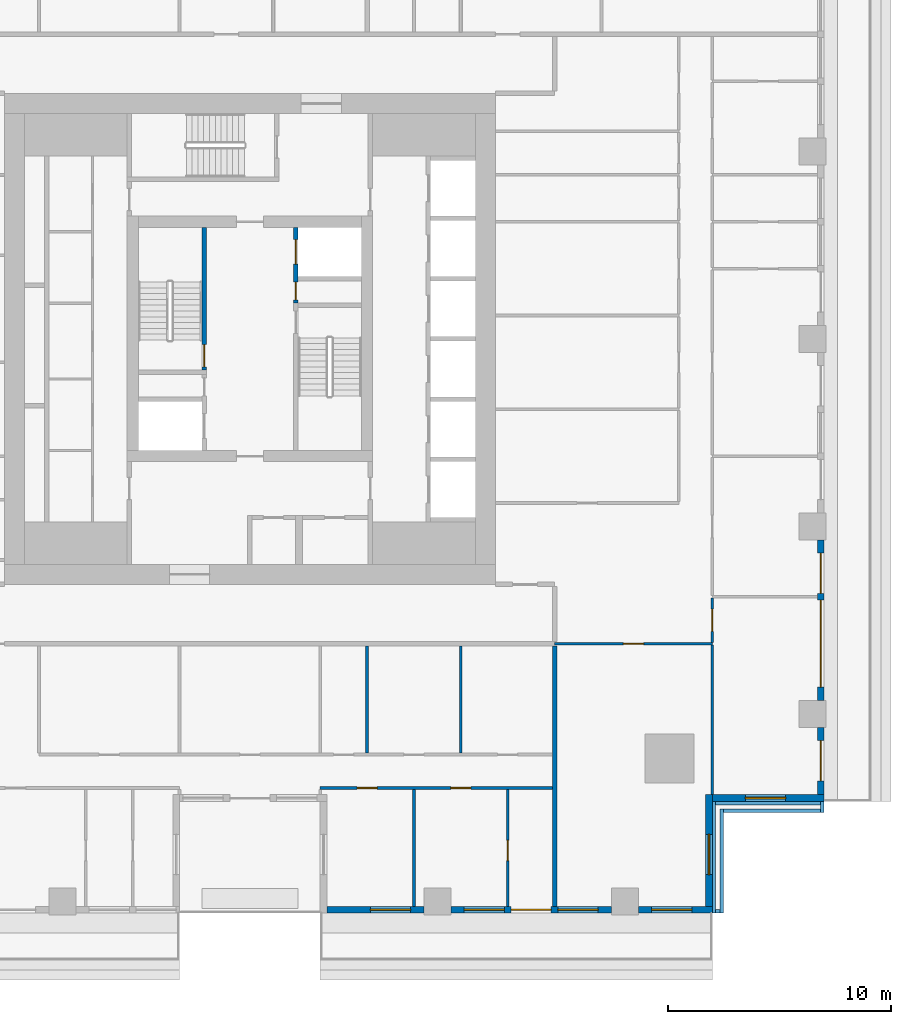
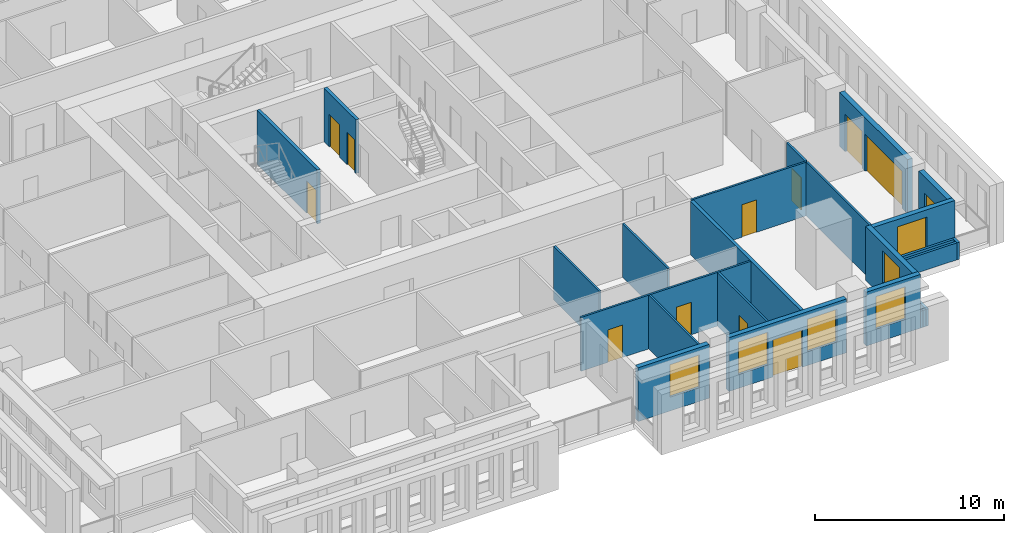
# One storey, part 5 of 16: 24 walls, 12 doors, 6 windows, 18 openings.
"""IFC4 building model written with IfcOpenShell, lengths in metres."""

import ifcopenshell
import ifcopenshell.guid

model = None  # the IFC model being written
_history = None  # IfcOwnerHistory: only IFC2X3 demands one
_inside = {}  # id of a spatial element -> (the spatial element, [elements in it])
_under = {}  # id of a project, library or spatial element -> (it, [spatial elements below it])
_declared = {}  # id of a project -> (the project, [libraries it declares])
_typed = {}  # id of a type object -> (the type object, [elements of that type])
_made_of = {}  # id of a material, layer set ... -> (it, [elements and type objects made of it])


def new_model(schema):
    """Start an empty IFC model of exactly this schema.

    Asked for "IFC4X3", IfcOpenShell would pick the latest addendum, in which some entities
    have other attributes; the version numbers below select the first issue.
    IFC2X3 requires an IfcOwnerHistory on every rooted entity: one is made here for all.
    """
    global model, _history
    if schema == "IFC4X3":
        model = ifcopenshell.file(schema_version=(4, 3, 0, 0))
    else:
        model = ifcopenshell.file(schema=schema)
    _inside.clear()
    _under.clear()
    _declared.clear()
    _typed.clear()
    _made_of.clear()
    _history = None
    if model.schema == "IFC2X3":
        org = make("IfcOrganization", Name="unknown")
        user = make(
            "IfcPersonAndOrganization",
            ThePerson=make("IfcPerson", FamilyName="unknown"),
            TheOrganization=org,
        )
        app = make(
            "IfcApplication",
            ApplicationDeveloper=org,
            Version="unknown",
            ApplicationFullName="unknown",
            ApplicationIdentifier="unknown",
        )
        _history = make(
            "IfcOwnerHistory",
            OwningUser=user,
            OwningApplication=app,
            ChangeAction="ADDED",
            CreationDate=0,
        )
    return model


def make(cls, **values):
    """One entity of the class cls with the attributes given. An attribute that is None is left unset."""
    return model.create_entity(
        cls, **{name: value for name, value in values.items() if value is not None}
    )


def rooted(cls, **values):
    """An entity with a GlobalId (a new one), such as an element, a storey or a relation."""
    return make(cls, GlobalId=ifcopenshell.guid.new(), OwnerHistory=_history, **values)


def si_unit(unit_type, name, prefix=None):
    """IfcSIUnit, for example si_unit("LENGTHUNIT", "METRE", prefix="MILLI")."""
    return make("IfcSIUnit", UnitType=unit_type, Prefix=prefix, Name=name)


def assignment(units):
    """IfcUnitAssignment: the units of a project."""
    return None if units is None else make("IfcUnitAssignment", Units=units)


def point(xyz):
    """IfcCartesianPoint."""
    return None if xyz is None else make("IfcCartesianPoint", Coordinates=xyz)


def direction(xyz):
    """IfcDirection."""
    return None if xyz is None else make("IfcDirection", DirectionRatios=xyz)


def frame(location, z_axis=None, x_axis=None):
    """IfcAxis2Placement3D, a coordinate frame: its origin and axes. An axis left out is left unset."""
    return make(
        "IfcAxis2Placement3D",
        Location=point(location),
        Axis=direction(z_axis),
        RefDirection=direction(x_axis),
    )


def frame_2d(location, x_axis=None):
    """IfcAxis2Placement2D, a coordinate frame in the plane: its origin and x axis."""
    return make(
        "IfcAxis2Placement2D", Location=point(location), RefDirection=direction(x_axis)
    )


def origin():
    """The frame at (0, 0, 0) with its axes left unset."""
    return frame((0.0, 0.0, 0.0))


def place(relative_to, where):
    """IfcLocalPlacement: puts the frame where relative to a parent placement (None: the world)."""
    return make(
        "IfcLocalPlacement", PlacementRelTo=relative_to, RelativePlacement=where
    )


def context(
    kind, dimensions, precision=None, world=None, true_north=None, identifier=None
):
    """IfcGeometricRepresentationContext, for example the 3D "Model" context."""
    return make(
        "IfcGeometricRepresentationContext",
        ContextIdentifier=identifier,
        ContextType=kind,
        CoordinateSpaceDimension=dimensions,
        Precision=precision,
        WorldCoordinateSystem=world,
        TrueNorth=true_north,
    )


def subcontext(parent, identifier, kind, view, scale=None):
    """IfcGeometricRepresentationSubContext, for example "Body" below "Model"."""
    return make(
        "IfcGeometricRepresentationSubContext",
        ContextIdentifier=identifier,
        ContextType=kind,
        ParentContext=parent,
        TargetScale=scale,
        TargetView=view,
    )


def project(units=None, contexts=None):
    """IfcProject with its units and contexts."""
    return rooted(
        "IfcProject",
        Name="project",
        RepresentationContexts=contexts,
        UnitsInContext=assignment(units),
    )


def spatial(cls, under=None, at=None, **own):
    """A site, building, storey or space (cls), placed at a placement, below another one or the project."""
    s = rooted(cls, ObjectPlacement=at, **own)
    if under is not None:
        _under.setdefault(under.id(), (under, []))[1].append(s)
    return s


def profile(cls, at=None, kind="AREA", **sizes):
    """A parametric profile (cls). Its sizes go by their IFC names, for example OverallWidth=200.0."""
    return make(cls, ProfileType=kind, Position=at, **sizes)


def rectangle(**sizes):
    """IfcRectangleProfileDef."""
    return profile("IfcRectangleProfileDef", **sizes)


def extrude(swept, where, along, depth):
    """IfcExtrudedAreaSolid: the profile swept, set in the frame where, extruded along a direction by depth."""
    return make(
        "IfcExtrudedAreaSolid",
        SweptArea=swept,
        Position=where,
        ExtrudedDirection=direction(along),
        Depth=depth,
    )


def shape(context_of_items, identifier, shape_type, items):
    """IfcShapeRepresentation: the items that make up one representation, for example the "Body"."""
    return make(
        "IfcShapeRepresentation",
        ContextOfItems=context_of_items,
        RepresentationIdentifier=identifier,
        RepresentationType=shape_type,
        Items=items,
    )


def material(Name=None, Category=None):
    """IfcMaterial."""
    return make("IfcMaterial", Name=Name, Category=Category)


def layer(
    of_material, thickness, ventilated=None, Name=None, Category=None, Priority=None
):
    """IfcMaterialLayer: one layer of a wall or slab, of a material (None: an air gap)."""
    return make(
        "IfcMaterialLayer",
        Material=of_material,
        LayerThickness=thickness,
        IsVentilated=ventilated,
        Name=Name,
        Category=Category,
        Priority=Priority,
    )


def layer_set(layers, Name=None):
    """IfcMaterialLayerSet."""
    return make("IfcMaterialLayerSet", MaterialLayers=layers, LayerSetName=Name)


def made_of(thing, what):
    """Note that an element or type object is made of a material, layer set ...; save() writes the relation."""
    if what is not None:
        _made_of.setdefault(what.id(), (what, []))[1].append(thing)
    return thing


def type_object(cls, material=None, **own):
    """A type object (cls), such as IfcWallType, which elements share."""
    return made_of(rooted(cls, **own), material)


def element(
    cls,
    number,
    at=None,
    inside=None,
    cuts=None,
    type_object=None,
    material=None,
    context=None,
    identifier="Body",
    shape_type=None,
    held_by="IfcProductDefinitionShape",
    body=None,
    shapes=None,
    **own,
):
    """One element of the class cls, such as IfcWall. Its Tag is "e" and its number.

    at: its placement. inside: the storey or other place that contains it. cuts: it is an
    opening in that element (IfcRelVoidsElement). A single representation is given by context,
    identifier, shape_type and body (its items); several are given by shapes. held_by: the class
    of the entity that holds the representations. save() writes the other relations.
    """
    e = rooted(cls, Tag="e%d" % number, ObjectPlacement=at, **own)
    if body is not None:
        shapes = [shape(context, identifier, shape_type, body)]
    if shapes is not None:
        e.Representation = make(held_by, Representations=shapes)
    if inside is not None:
        _inside.setdefault(inside.id(), (inside, []))[1].append(e)
    if cuts is not None:
        rooted(
            "IfcRelVoidsElement", RelatingBuildingElement=cuts, RelatedOpeningElement=e
        )
    if type_object is not None:
        _typed.setdefault(type_object.id(), (type_object, []))[1].append(e)
    return made_of(e, material)


def fill(opening, filler):
    """IfcRelFillsElement: the door or window that sits in an opening."""
    return rooted(
        "IfcRelFillsElement",
        RelatingOpeningElement=opening,
        RelatedBuildingElement=filler,
    )


def aggregate(whole, parts):
    """IfcRelAggregates: a whole, such as a stair, and the parts it consists of."""
    return rooted("IfcRelAggregates", RelatingObject=whole, RelatedObjects=parts)


def save(model, path):
    """Write the relations noted so far, then the file.

    IfcRelAggregates (storeys below a building ...), IfcRelContainedInSpatialStructure (elements
    in a storey), IfcRelDefinesByType, IfcRelAssociatesMaterial and IfcRelDeclares: one each for
    every whole, place, type object, material and project.
    """
    for whole, parts in _under.values():
        aggregate(whole, parts)
    for where, things in _inside.values():
        rooted(
            "IfcRelContainedInSpatialStructure",
            RelatedElements=things,
            RelatingStructure=where,
        )
    for kind, things in _typed.values():
        rooted("IfcRelDefinesByType", RelatedObjects=things, RelatingType=kind)
    for what, things in _made_of.values():
        rooted("IfcRelAssociatesMaterial", RelatedObjects=things, RelatingMaterial=what)
    for by, libraries in _declared.values():
        rooted("IfcRelDeclares", RelatingContext=by, RelatedDefinitions=libraries)
    model.write(path)


model = new_model("IFC4")

# Units and contexts
model_context = context("Model", 3, precision=1e-05, world=origin(), true_north=direction((0.0, 1.0)))
body_context = subcontext(model_context, "Body", "Model", "MODEL_VIEW")
ifc_project = project(units=[si_unit("LENGTHUNIT", "METRE"), si_unit("AREAUNIT", "SQUARE_METRE"), si_unit("VOLUMEUNIT", "CUBIC_METRE"), si_unit("PLANEANGLEUNIT", "RADIAN"), si_unit("MASSUNIT", "GRAM", prefix="KILO")], contexts=[model_context])

# Site, building, storey
site_placement = place(None, origin())
site = spatial("IfcSite", under=ifc_project, at=site_placement, CompositionType="ELEMENT")
building_placement = place(site_placement, origin())
building = spatial("IfcBuilding", under=site, at=building_placement, Name="Khepri Terraces", CompositionType="ELEMENT")
storey_placement = place(building_placement, frame((0.0, 0.0, 240.60009765625)))
storey = spatial("IfcBuildingStorey", under=building, at=storey_placement, Name="L57", CompositionType="ELEMENT", Elevation=240.60009765625)

# Wall, opening, door
ifc_material_1 = material(Name="Concrete C40/50", Category="concrete")
ifc_layer_1 = layer(ifc_material_1, 0.199951171875, Name="Concrete C40/50", Category="concrete")
ifc_layer_set_1 = layer_set([ifc_layer_1], Name="Concrete C40/50")
wall_type_1 = type_object("IfcWallType", Name="Core wall 200 C40/50", PredefinedType="SHEAR", material=ifc_layer_set_1)
wall_1_placement = place(storey_placement, frame((-2.050048828125, -1.39990234375, 0.0), z_axis=(0.0, 0.0, 1.0), x_axis=(0.0, 1.0, 0.0)))
wall_1 = element("IfcWall", 1, at=wall_1_placement, inside=storey, type_object=wall_type_1, Name="Core wall ST03 L57", PredefinedType="SHEAR", context=body_context, shape_type="SweptSolid", body=[
    extrude(rectangle(XDim=6.39990234375, YDim=0.199951171875, at=frame_2d((3.199951171875, 0.0))), origin(), (0.0, 0.0, 1.0), 3.47998046875),
])
opening_1_placement = place(wall_1_placement, frame((0.14990234375, 0.0, 0.0)))
opening_1 = element("IfcOpeningElement", 2, at=opening_1_placement, cuts=wall_1, Name="Opening L57-C09", PredefinedType="OPENING", context=body_context, shape_type="SweptSolid", body=[
    extrude(rectangle(XDim=1.0, YDim=2.10009765625, at=frame_2d((0.5, 1.050048828125))), frame((0.0, 0.10986328125, 0.0), z_axis=(0.0, -1.0, 0.0), x_axis=(1.0, 0.0, 0.0)), (0.0, 0.0, 1.0), 0.219970703125),
])
ifc_material_2 = material(Name="Painted steel", Category="steel")
door_type_1 = type_object("IfcDoorType", Name="DR-CORE-STAIR-1000", OperationType="NOTDEFINED", PredefinedType="DOOR", material=ifc_material_2)
door_1_placement = place(opening_1_placement, origin())
door_1 = element("IfcDoor", 3, at=door_1_placement, inside=storey, type_object=door_type_1, Name="Stair door L57-C09", OperationType="SINGLE_SWING_LEFT", OverallHeight=2.10009765625, OverallWidth=1.0, PredefinedType="DOOR", context=body_context, shape_type="SweptSolid", body=[
    extrude(rectangle(XDim=1.0, YDim=2.10009765625, at=frame_2d((0.5, 1.050048828125))), frame((0.0, 0.02490234375, 0.0), z_axis=(0.0, -1.0, 0.0), x_axis=(1.0, 0.0, 0.0)), (0.0, 0.0, 1.0), 0.050048828125),
])
fill(opening_1, door_1)

# Wall, openings, doors
wall_2_placement = place(storey_placement, frame((2.050048828125, 1.60009765625, 0.0), z_axis=(0.0, 0.0, 1.0), x_axis=(0.0, 1.0, 0.0)))
wall_2 = element("IfcWall", 4, at=wall_2_placement, inside=storey, type_object=wall_type_1, Name="Core wall SH10 L57", PredefinedType="SHEAR", context=body_context, shape_type="SweptSolid", body=[
    extrude(rectangle(XDim=3.39990234375, YDim=0.199951171875, at=frame_2d((1.699951171875, 0.0))), origin(), (0.0, 0.0, 1.0), 3.47998046875),
])
opening_2_placement = place(wall_2_placement, frame((1.75, 0.0, 0.0)))
opening_2 = element("IfcOpeningElement", 5, at=opening_2_placement, cuts=wall_2, Name="Opening L57-C07", PredefinedType="OPENING", context=body_context, shape_type="SweptSolid", body=[
    extrude(rectangle(XDim=1.10009765625, YDim=2.10009765625, at=frame_2d((0.550048828125, 1.050048828125))), frame((0.0, 0.10986328125, 0.0), z_axis=(0.0, -1.0, 0.0), x_axis=(1.0, 0.0, 0.0)), (0.0, 0.0, 1.0), 0.219970703125),
])
opening_3_placement = place(wall_2_placement, frame((0.14990234375, 0.0, 0.0)))
opening_3 = element("IfcOpeningElement", 6, at=opening_3_placement, cuts=wall_2, Name="Opening L57-C11", PredefinedType="OPENING", context=body_context, shape_type="SweptSolid", body=[
    extrude(rectangle(XDim=0.800048828125, YDim=2.10009765625, at=frame_2d((0.39990234375, 1.050048828125))), frame((0.0, 0.10986328125, 0.0), z_axis=(0.0, -1.0, 0.0), x_axis=(1.0, 0.0, 0.0)), (0.0, 0.0, 1.0), 0.219970703125),
])
ifc_material_3 = material(Name="Stainless steel 304", Category="steel")
door_type_2 = type_object("IfcDoorType", Name="DR-CORE-FF-LANDING-1100", OperationType="NOTDEFINED", PredefinedType="DOOR", material=ifc_material_3)
door_2_placement = place(opening_2_placement, origin())
door_2 = element("IfcDoor", 7, at=door_2_placement, inside=storey, type_object=door_type_2, Name="Firefighting lift landing door L57-C07", OperationType="SLIDING_TO_LEFT", OverallHeight=2.10009765625, OverallWidth=1.10009765625, PredefinedType="DOOR", context=body_context, shape_type="SweptSolid", body=[
    extrude(rectangle(XDim=1.10009765625, YDim=2.10009765625, at=frame_2d((0.550048828125, 1.050048828125))), frame((0.0, 0.02490234375, 0.0), z_axis=(0.0, -1.0, 0.0), x_axis=(1.0, 0.0, 0.0)), (0.0, 0.0, 1.0), 0.050048828125),
])
fill(opening_2, door_2)
door_type_3 = type_object("IfcDoorType", Name="DR-CORE-RISER-800", OperationType="NOTDEFINED", PredefinedType="DOOR", material=ifc_material_2)
door_3_placement = place(opening_3_placement, frame((0.800048828125, 0.0, 0.0), z_axis=(0.0, 0.0, 1.0), x_axis=(-1.0, 0.0, 0.0)))
door_3 = element("IfcDoor", 8, at=door_3_placement, inside=storey, type_object=door_type_3, Name="Riser door L57-C11", OperationType="SINGLE_SWING_RIGHT", OverallHeight=2.10009765625, OverallWidth=0.800048828125, PredefinedType="DOOR", context=body_context, shape_type="SweptSolid", body=[
    extrude(rectangle(XDim=0.800048828125, YDim=2.10009765625, at=frame_2d((0.39990234375, 1.050048828125))), frame((0.0, 0.02490234375, 0.0), z_axis=(0.0, -1.0, 0.0), x_axis=(1.0, 0.0, 0.0)), (0.0, 0.0, 1.0), 0.050048828125),
])
fill(opening_3, door_3)

# Wall
ifc_material_4 = material(Name="Fire-rated gypsum plasterboard partition, mineral wool")
ifc_layer_2 = layer(ifc_material_4, 0.199951171875, Name="Fire-rated gypsum plasterboard partition, mineral wool")
ifc_layer_set_2 = layer_set([ifc_layer_2], Name="Fire-rated gypsum plasterboard partition, mineral wool")
wall_type_2 = type_object("IfcWallType", Name="WL-CORR-200", PredefinedType="PARTITIONING", material=ifc_layer_set_2)
wall_3_placement = place(storey_placement, frame((13.64990234375, -25.419921875, 0.0), z_axis=(0.0, 0.0, 1.0), x_axis=(0.0, 1.0, 0.0)))
element("IfcWall", 9, at=wall_3_placement, inside=storey, type_object=wall_type_2, Name="Partition P-006 L57", PredefinedType="PARTITIONING", context=body_context, shape_type="SweptSolid", body=[
    extrude(rectangle(XDim=11.669921875, YDim=0.199951171875, at=frame_2d((5.8349609375, 0.0))), origin(), (0.0, 0.0, 1.0), 3.47998046875),
])

# Wall, opening, window
ifc_material_5 = material(Name="Precast concrete C50/60 warm stone", Category="masonry")
ifc_layer_3 = layer(ifc_material_5, 0.300048828125, Name="Precast concrete C50/60 warm stone", Category="masonry")
ifc_layer_set_3 = layer_set([ifc_layer_3], Name="Precast concrete C50/60 warm stone")
wall_type_3 = type_object("IfcWallType", Name="WL-EXT-PRECAST-300", PredefinedType="STANDARD", material=ifc_layer_set_3)
wall_4_placement = place(storey_placement, frame((20.719970703125, -20.570068359375, 0.0), z_axis=(0.0, 0.0, 1.0), x_axis=(1.0, 0.0, 0.0)))
wall_4 = element("IfcWall", 10, at=wall_4_placement, inside=storey, type_object=wall_type_3, Name="External wall L57 S", PredefinedType="STANDARD", context=body_context, shape_type="SweptSolid", body=[
    extrude(rectangle(XDim=5.0, YDim=0.300048828125, at=frame_2d((2.5, 0.0))), origin(), (0.0, 0.0, 1.0), 3.47998046875),
])
opening_4_placement = place(wall_4_placement, frame((1.47998046875, 0.0, 0.89990234375)))
opening_4 = element("IfcOpeningElement", 11, at=opening_4_placement, cuts=wall_4, Name="Opening W1", PredefinedType="OPENING", context=body_context, shape_type="SweptSolid", body=[
    extrude(rectangle(XDim=1.800048828125, YDim=2.10009765625, at=frame_2d((0.89990234375, 1.050048828125))), frame((0.0, 0.16015625, 0.0), z_axis=(0.0, -1.0, 0.0), x_axis=(1.0, 0.0, 0.0)), (0.0, 0.0, 1.0), 0.320068359375),
])
ifc_material_6 = material(Name="Clear glass", Category="glass")
window_type = type_object("IfcWindowType", Name="WIN-RES-1800x2100", PartitioningType="SINGLE_PANEL", PredefinedType="WINDOW", material=ifc_material_6)
window_1_placement = place(opening_4_placement, origin())
window_1 = element("IfcWindow", 12, at=window_1_placement, inside=storey, type_object=window_type, Name="Window L57 S", OverallHeight=2.10009765625, OverallWidth=1.800048828125, PartitioningType="SINGLE_PANEL", PredefinedType="WINDOW", context=body_context, shape_type="SweptSolid", body=[
    extrude(rectangle(XDim=1.800048828125, YDim=2.10009765625, at=frame_2d((0.89990234375, 1.050048828125))), frame((0.0, 0.030029296875, 0.0), z_axis=(0.0, -1.0, 0.0), x_axis=(1.0, 0.0, 0.0)), (0.0, 0.0, 1.0), 0.06005859375),
])
fill(opening_4, window_1)

# Wall, opening, door
wall_5_placement = place(storey_placement, frame((25.570068359375, -20.419921875, 0.0), z_axis=(0.0, 0.0, 1.0), x_axis=(0.0, 1.0, 0.0)))
wall_5 = element("IfcWall", 13, at=wall_5_placement, inside=storey, type_object=wall_type_3, Name="External wall L57 E", PredefinedType="STANDARD", context=body_context, shape_type="SweptSolid", body=[
    extrude(rectangle(XDim=3.02001953125, YDim=0.300048828125, at=frame_2d((1.510009765625, 0.0))), origin(), (0.0, 0.0, 1.0), 3.47998046875),
])
opening_5_placement = place(wall_5_placement, frame((0.6201171875, 0.0, 0.0)))
opening_5 = element("IfcOpeningElement", 14, at=opening_5_placement, cuts=wall_5, Name="Opening ED-L57-01", PredefinedType="OPENING", context=body_context, shape_type="SweptSolid", body=[
    extrude(rectangle(XDim=1.800048828125, YDim=2.39990234375, at=frame_2d((0.89990234375, 1.199951171875))), frame((0.0, 0.16015625, 0.0), z_axis=(0.0, -1.0, 0.0), x_axis=(1.0, 0.0, 0.0)), (0.0, 0.0, 1.0), 0.320068359375),
])
ifc_material_7 = material(Name="Anodised aluminium bronze glazed door", Category="aluminium")
door_type_4 = type_object("IfcDoorType", Name="DR-BAL-SLIDE-1800x2400", OperationType="NOTDEFINED", PredefinedType="DOOR", material=ifc_material_7)
door_4_placement = place(opening_5_placement, origin())
door_4 = element("IfcDoor", 15, at=door_4_placement, inside=storey, type_object=door_type_4, Name="Balcony door L57 E", OperationType="SLIDING_TO_RIGHT", OverallHeight=2.39990234375, OverallWidth=1.800048828125, PredefinedType="DOOR", context=body_context, shape_type="SweptSolid", body=[
    extrude(rectangle(XDim=1.800048828125, YDim=2.39990234375, at=frame_2d((0.89990234375, 1.199951171875))), frame((0.0, 0.02490234375, 0.0), z_axis=(0.0, -1.0, 0.0), x_axis=(1.0, 0.0, 0.0)), (0.0, 0.0, 1.0), 0.050048828125),
])
fill(opening_5, door_4)

# Wall, openings, doors
wall_6_placement = place(storey_placement, frame((25.570068359375, -16.199951171875, 0.0), z_axis=(0.0, 0.0, 1.0), x_axis=(0.0, 1.0, 0.0)))
wall_6 = element("IfcWall", 16, at=wall_6_placement, inside=storey, type_object=wall_type_3, Name="External wall L57 E", PredefinedType="STANDARD", context=body_context, shape_type="SweptSolid", body=[
    extrude(rectangle(XDim=7.199951171875, YDim=0.300048828125, at=frame_2d((3.60009765625, 0.0))), origin(), (0.0, 0.0, 1.0), 3.47998046875),
])
opening_6_placement = place(wall_6_placement, frame((0.60009765625, 0.0, 0.0)))
opening_6 = element("IfcOpeningElement", 17, at=opening_6_placement, cuts=wall_6, Name="Opening ED-L57-02", PredefinedType="OPENING", context=body_context, shape_type="SweptSolid", body=[
    extrude(rectangle(XDim=3.89990234375, YDim=2.39990234375, at=frame_2d((1.949951171875, 1.199951171875))), frame((0.0, 0.16015625, 0.0), z_axis=(0.0, -1.0, 0.0), x_axis=(1.0, 0.0, 0.0)), (0.0, 0.0, 1.0), 0.320068359375),
])
opening_7_placement = place(wall_6_placement, frame((4.800048828125, 0.0, 0.0)))
opening_7 = element("IfcOpeningElement", 18, at=opening_7_placement, cuts=wall_6, Name="Opening ED-L57-03", PredefinedType="OPENING", context=body_context, shape_type="SweptSolid", body=[
    extrude(rectangle(XDim=1.800048828125, YDim=2.39990234375, at=frame_2d((0.89990234375, 1.199951171875))), frame((0.0, 0.16015625, 0.0), z_axis=(0.0, -1.0, 0.0), x_axis=(1.0, 0.0, 0.0)), (0.0, 0.0, 1.0), 0.320068359375),
])
door_5_placement = place(opening_7_placement, origin())
door_5 = element("IfcDoor", 19, at=door_5_placement, inside=storey, type_object=door_type_4, Name="Balcony door L57 E", OperationType="SLIDING_TO_RIGHT", OverallHeight=2.39990234375, OverallWidth=1.800048828125, PredefinedType="DOOR", context=body_context, shape_type="SweptSolid", body=[
    extrude(rectangle(XDim=1.800048828125, YDim=2.39990234375, at=frame_2d((0.89990234375, 1.199951171875))), frame((0.0, 0.02490234375, 0.0), z_axis=(0.0, -1.0, 0.0), x_axis=(1.0, 0.0, 0.0)), (0.0, 0.0, 1.0), 0.050048828125),
])
fill(opening_7, door_5)
door_type_5 = type_object("IfcDoorType", Name="DR-BAL-SLIDE-3900x2400", OperationType="NOTDEFINED", PredefinedType="DOOR", material=ifc_material_7)
door_6_placement = place(opening_6_placement, origin())
door_6 = element("IfcDoor", 20, at=door_6_placement, inside=storey, type_object=door_type_5, Name="Balcony door L57 E", OperationType="SLIDING_TO_LEFT", OverallHeight=2.39990234375, OverallWidth=3.89990234375, PredefinedType="DOOR", context=body_context, shape_type="SweptSolid", body=[
    extrude(rectangle(XDim=3.89990234375, YDim=2.39990234375, at=frame_2d((1.949951171875, 1.199951171875))), frame((0.0, 0.02490234375, 0.0), z_axis=(0.0, -1.0, 0.0), x_axis=(1.0, 0.0, 0.0)), (0.0, 0.0, 1.0), 0.050048828125),
])
fill(opening_6, door_6)

# Wall, opening, window
wall_7_placement = place(storey_placement, frame((3.449951171875, -25.570068359375, 0.0), z_axis=(0.0, 0.0, 1.0), x_axis=(1.0, 0.0, 0.0)))
wall_7 = element("IfcWall", 21, at=wall_7_placement, inside=storey, type_object=wall_type_3, Name="External wall L57 S", PredefinedType="STANDARD", context=body_context, shape_type="SweptSolid", body=[
    extrude(rectangle(XDim=4.35009765625, YDim=0.300048828125, at=frame_2d((2.175048828125, 0.0))), origin(), (0.0, 0.0, 1.0), 3.47998046875),
])
opening_8_placement = place(wall_7_placement, frame((1.949951171875, 0.0, 0.89990234375)))
opening_8 = element("IfcOpeningElement", 22, at=opening_8_placement, cuts=wall_7, Name="Opening W1", PredefinedType="OPENING", context=body_context, shape_type="SweptSolid", body=[
    extrude(rectangle(XDim=1.800048828125, YDim=2.10009765625, at=frame_2d((0.89990234375, 1.050048828125))), frame((0.0, 0.16015625, 0.0), z_axis=(0.0, -1.0, 0.0), x_axis=(1.0, 0.0, 0.0)), (0.0, 0.0, 1.0), 0.320068359375),
])
window_2_placement = place(opening_8_placement, origin())
window_2 = element("IfcWindow", 23, at=window_2_placement, inside=storey, type_object=window_type, Name="Window L57 S", OverallHeight=2.10009765625, OverallWidth=1.800048828125, PartitioningType="SINGLE_PANEL", PredefinedType="WINDOW", context=body_context, shape_type="SweptSolid", body=[
    extrude(rectangle(XDim=1.800048828125, YDim=2.10009765625, at=frame_2d((0.89990234375, 1.050048828125))), frame((0.0, 0.030029296875, 0.0), z_axis=(0.0, -1.0, 0.0), x_axis=(1.0, 0.0, 0.0)), (0.0, 0.0, 1.0), 0.06005859375),
])
fill(opening_8, window_2)

# Wall, openings, door, windows
wall_8_placement = place(storey_placement, frame((9.0, -25.570068359375, 0.0), z_axis=(0.0, 0.0, 1.0), x_axis=(1.0, 0.0, 0.0)))
wall_8 = element("IfcWall", 24, at=wall_8_placement, inside=storey, type_object=wall_type_3, Name="External wall L57 S", PredefinedType="STANDARD", context=body_context, shape_type="SweptSolid", body=[
    extrude(rectangle(XDim=7.199951171875, YDim=0.300048828125, at=frame_2d((3.60009765625, 0.0))), origin(), (0.0, 0.0, 1.0), 3.47998046875),
])
opening_9_placement = place(wall_8_placement, frame((0.60009765625, 0.0, 0.89990234375)))
opening_9 = element("IfcOpeningElement", 25, at=opening_9_placement, cuts=wall_8, Name="Opening W1", PredefinedType="OPENING", context=body_context, shape_type="SweptSolid", body=[
    extrude(rectangle(XDim=1.800048828125, YDim=2.10009765625, at=frame_2d((0.89990234375, 1.050048828125))), frame((0.0, 0.16015625, 0.0), z_axis=(0.0, -1.0, 0.0), x_axis=(1.0, 0.0, 0.0)), (0.0, 0.0, 1.0), 0.320068359375),
])
opening_10_placement = place(wall_8_placement, frame((2.699951171875, 0.0, 0.0)))
opening_10 = element("IfcOpeningElement", 26, at=opening_10_placement, cuts=wall_8, Name="Opening ED-L57-20", PredefinedType="OPENING", context=body_context, shape_type="SweptSolid", body=[
    extrude(rectangle(XDim=1.800048828125, YDim=2.39990234375, at=frame_2d((0.89990234375, 1.199951171875))), frame((0.0, 0.16015625, 0.0), z_axis=(0.0, -1.0, 0.0), x_axis=(1.0, 0.0, 0.0)), (0.0, 0.0, 1.0), 0.320068359375),
])
opening_11_placement = place(wall_8_placement, frame((4.800048828125, 0.0, 0.89990234375)))
opening_11 = element("IfcOpeningElement", 27, at=opening_11_placement, cuts=wall_8, Name="Opening W1", PredefinedType="OPENING", context=body_context, shape_type="SweptSolid", body=[
    extrude(rectangle(XDim=1.800048828125, YDim=2.10009765625, at=frame_2d((0.89990234375, 1.050048828125))), frame((0.0, 0.16015625, 0.0), z_axis=(0.0, -1.0, 0.0), x_axis=(1.0, 0.0, 0.0)), (0.0, 0.0, 1.0), 0.320068359375),
])
door_7_placement = place(opening_10_placement, origin())
door_7 = element("IfcDoor", 28, at=door_7_placement, inside=storey, type_object=door_type_4, Name="Balcony door L57 S", OperationType="SLIDING_TO_RIGHT", OverallHeight=2.39990234375, OverallWidth=1.800048828125, PredefinedType="DOOR", context=body_context, shape_type="SweptSolid", body=[
    extrude(rectangle(XDim=1.800048828125, YDim=2.39990234375, at=frame_2d((0.89990234375, 1.199951171875))), frame((0.0, 0.02490234375, 0.0), z_axis=(0.0, -1.0, 0.0), x_axis=(1.0, 0.0, 0.0)), (0.0, 0.0, 1.0), 0.050048828125),
])
fill(opening_10, door_7)
window_3_placement = place(opening_9_placement, origin())
window_3 = element("IfcWindow", 29, at=window_3_placement, inside=storey, type_object=window_type, Name="Window L57 S", OverallHeight=2.10009765625, OverallWidth=1.800048828125, PartitioningType="SINGLE_PANEL", PredefinedType="WINDOW", context=body_context, shape_type="SweptSolid", body=[
    extrude(rectangle(XDim=1.800048828125, YDim=2.10009765625, at=frame_2d((0.89990234375, 1.050048828125))), frame((0.0, 0.030029296875, 0.0), z_axis=(0.0, -1.0, 0.0), x_axis=(1.0, 0.0, 0.0)), (0.0, 0.0, 1.0), 0.06005859375),
])
fill(opening_9, window_3)
window_4_placement = place(opening_11_placement, origin())
window_4 = element("IfcWindow", 30, at=window_4_placement, inside=storey, type_object=window_type, Name="Window L57 S", OverallHeight=2.10009765625, OverallWidth=1.800048828125, PartitioningType="SINGLE_PANEL", PredefinedType="WINDOW", context=body_context, shape_type="SweptSolid", body=[
    extrude(rectangle(XDim=1.800048828125, YDim=2.10009765625, at=frame_2d((0.89990234375, 1.050048828125))), frame((0.0, 0.030029296875, 0.0), z_axis=(0.0, -1.0, 0.0), x_axis=(1.0, 0.0, 0.0)), (0.0, 0.0, 1.0), 0.06005859375),
])
fill(opening_11, window_4)

# Wall, opening, window
wall_9_placement = place(storey_placement, frame((17.39990234375, -25.570068359375, 0.0), z_axis=(0.0, 0.0, 1.0), x_axis=(1.0, 0.0, 0.0)))
wall_9 = element("IfcWall", 31, at=wall_9_placement, inside=storey, type_object=wall_type_3, Name="External wall L57 S", PredefinedType="STANDARD", context=body_context, shape_type="SweptSolid", body=[
    extrude(rectangle(XDim=3.320068359375, YDim=0.300048828125, at=frame_2d((1.66015625, 0.0))), origin(), (0.0, 0.0, 1.0), 3.47998046875),
])
opening_12_placement = place(wall_9_placement, frame((0.60009765625, 0.0, 0.89990234375)))
opening_12 = element("IfcOpeningElement", 32, at=opening_12_placement, cuts=wall_9, Name="Opening W1", PredefinedType="OPENING", context=body_context, shape_type="SweptSolid", body=[
    extrude(rectangle(XDim=1.800048828125, YDim=2.10009765625, at=frame_2d((0.89990234375, 1.050048828125))), frame((0.0, 0.16015625, 0.0), z_axis=(0.0, -1.0, 0.0), x_axis=(1.0, 0.0, 0.0)), (0.0, 0.0, 1.0), 0.320068359375),
])
window_5_placement = place(opening_12_placement, origin())
window_5 = element("IfcWindow", 33, at=window_5_placement, inside=storey, type_object=window_type, Name="Window L57 S", OverallHeight=2.10009765625, OverallWidth=1.800048828125, PartitioningType="SINGLE_PANEL", PredefinedType="WINDOW", context=body_context, shape_type="SweptSolid", body=[
    extrude(rectangle(XDim=1.800048828125, YDim=2.10009765625, at=frame_2d((0.89990234375, 1.050048828125))), frame((0.0, 0.030029296875, 0.0), z_axis=(0.0, -1.0, 0.0), x_axis=(1.0, 0.0, 0.0)), (0.0, 0.0, 1.0), 0.06005859375),
])
fill(opening_12, window_5)

wall_10_placement = place(storey_placement, frame((20.570068359375, -25.419921875, 0.0), z_axis=(0.0, 0.0, 1.0), x_axis=(0.0, 1.0, 0.0)))
wall_10 = element("IfcWall", 34, at=wall_10_placement, inside=storey, type_object=wall_type_3, Name="External wall L57 E", PredefinedType="STANDARD", context=body_context, shape_type="SweptSolid", body=[
    extrude(rectangle(XDim=5.0, YDim=0.300048828125, at=frame_2d((2.5, 0.0))), origin(), (0.0, 0.0, 1.0), 3.47998046875),
])
opening_13_placement = place(wall_10_placement, frame((1.419921875, 0.0, 0.89990234375)))
opening_13 = element("IfcOpeningElement", 35, at=opening_13_placement, cuts=wall_10, Name="Opening W1", PredefinedType="OPENING", context=body_context, shape_type="SweptSolid", body=[
    extrude(rectangle(XDim=1.800048828125, YDim=2.10009765625, at=frame_2d((0.89990234375, 1.050048828125))), frame((0.0, 0.16015625, 0.0), z_axis=(0.0, -1.0, 0.0), x_axis=(1.0, 0.0, 0.0)), (0.0, 0.0, 1.0), 0.320068359375),
])
window_6_placement = place(opening_13_placement, origin())
window_6 = element("IfcWindow", 36, at=window_6_placement, inside=storey, type_object=window_type, Name="Window L57 E", OverallHeight=2.10009765625, OverallWidth=1.800048828125, PartitioningType="SINGLE_PANEL", PredefinedType="WINDOW", context=body_context, shape_type="SweptSolid", body=[
    extrude(rectangle(XDim=1.800048828125, YDim=2.10009765625, at=frame_2d((0.89990234375, 1.050048828125))), frame((0.0, 0.030029296875, 0.0), z_axis=(0.0, -1.0, 0.0), x_axis=(1.0, 0.0, 0.0)), (0.0, 0.0, 1.0), 0.06005859375),
])
fill(opening_13, window_6)

# Walls
ifc_layer_4 = layer(ifc_material_5, 0.14990234375, Name="Precast concrete C50/60 warm stone", Category="masonry")
ifc_layer_set_4 = layer_set([ifc_layer_4], Name="Precast concrete C50/60 warm stone")
wall_type_4 = type_object("IfcWallType", Name="WL-PARAPET-150", PredefinedType="PARAPET", material=ifc_layer_set_4)
wall_11_placement = place(storey_placement, frame((20.794921875, -25.719970703125, 0.0), z_axis=(0.0, 0.0, 1.0), x_axis=(0.0, 1.0, 0.0)))
element("IfcWall", 37, at=wall_11_placement, inside=storey, type_object=wall_type_4, Name="Ledge parapet L57", PredefinedType="PARAPET", context=body_context, shape_type="SweptSolid", body=[
    extrude(rectangle(XDim=5.0, YDim=0.14990234375, at=frame_2d((2.5, 0.0))), origin(), (0.0, 0.0, 1.0), 1.099853515625),
])
wall_12_placement = place(storey_placement, frame((20.8701171875, -25.64501953125, 0.0), z_axis=(0.0, 0.0, 1.0), x_axis=(1.0, 0.0, 0.0)))
element("IfcWall", 38, at=wall_12_placement, inside=storey, type_object=wall_type_4, Name="Ledge parapet L57", PredefinedType="PARAPET", context=body_context, shape_type="SweptSolid", body=[
    extrude(rectangle(XDim=0.199951171875, YDim=0.14990234375, at=frame_2d((0.10009765625, 0.0))), origin(), (0.0, 0.0, 1.0), 1.099853515625),
])
wall_13_placement = place(storey_placement, frame((20.8701171875, -20.794921875, 0.0), z_axis=(0.0, 0.0, 1.0), x_axis=(1.0, 0.0, 0.0)))
element("IfcWall", 39, at=wall_13_placement, inside=storey, type_object=wall_type_4, Name="Ledge parapet L57", PredefinedType="PARAPET", context=body_context, shape_type="SweptSolid", body=[
    extrude(rectangle(XDim=4.699951171875, YDim=0.14990234375, at=frame_2d((2.35009765625, 0.0))), origin(), (0.0, 0.0, 1.0), 1.099853515625),
])
wall_14_placement = place(storey_placement, frame((21.14501953125, -25.719970703125, 0.0), z_axis=(0.0, 0.0, 1.0), x_axis=(0.0, 1.0, 0.0)))
element("IfcWall", 40, at=wall_14_placement, inside=storey, type_object=wall_type_4, Name="Ledge parapet L57", PredefinedType="PARAPET", context=body_context, shape_type="SweptSolid", body=[
    extrude(rectangle(XDim=4.64990234375, YDim=0.14990234375, at=frame_2d((2.324951171875, 0.0))), origin(), (0.0, 0.0, 1.0), 1.099853515625),
])
wall_15_placement = place(storey_placement, frame((21.219970703125, -21.14501953125, 0.0), z_axis=(0.0, 0.0, 1.0), x_axis=(1.0, 0.0, 0.0)))
element("IfcWall", 41, at=wall_15_placement, inside=storey, type_object=wall_type_4, Name="Ledge parapet L57", PredefinedType="PARAPET", context=body_context, shape_type="SweptSolid", body=[
    extrude(rectangle(XDim=4.35009765625, YDim=0.14990234375, at=frame_2d((2.175048828125, 0.0))), origin(), (0.0, 0.0, 1.0), 1.099853515625),
])
wall_16_placement = place(storey_placement, frame((25.64501953125, -21.219970703125, 0.0), z_axis=(0.0, 0.0, 1.0), x_axis=(0.0, 1.0, 0.0)))
element("IfcWall", 42, at=wall_16_placement, inside=storey, type_object=wall_type_4, Name="Ledge parapet L57", PredefinedType="PARAPET", context=body_context, shape_type="SweptSolid", body=[
    extrude(rectangle(XDim=0.5, YDim=0.14990234375, at=frame_2d((0.25, 0.0))), origin(), (0.0, 0.0, 1.0), 1.099853515625),
])
ifc_material_8 = material(Name="Gypsum plasterboard partition")
ifc_layer_5 = layer(ifc_material_8, 0.1201171875, Name="Gypsum plasterboard partition")
ifc_layer_set_5 = layer_set([ifc_layer_5], Name="Gypsum plasterboard partition")
wall_type_5 = type_object("IfcWallType", Name="WL-PART-120", PredefinedType="PARTITIONING", material=ifc_layer_set_5)
wall_17_placement = place(storey_placement, frame((7.35009765625, -25.419921875, 0.0), z_axis=(0.0, 0.0, 1.0), x_axis=(0.0, 1.0, 0.0)))
element("IfcWall", 43, at=wall_17_placement, inside=storey, type_object=wall_type_5, Name="Partition P-004 L57", PredefinedType="PARTITIONING", context=body_context, shape_type="SweptSolid", body=[
    extrude(rectangle(XDim=5.239990234375, YDim=0.1201171875, at=frame_2d((2.6201171875, 0.0))), origin(), (0.0, 0.0, 1.0), 3.47998046875),
])

# Wall, opening, door
wall_18_placement = place(storey_placement, frame((11.550048828125, -25.419921875, 0.0), z_axis=(0.0, 0.0, 1.0), x_axis=(0.0, 1.0, 0.0)))
wall_18 = element("IfcWall", 44, at=wall_18_placement, inside=storey, type_object=wall_type_5, Name="Partition P-005 L57", PredefinedType="PARTITIONING", context=body_context, shape_type="SweptSolid", body=[
    extrude(rectangle(XDim=5.239990234375, YDim=0.1201171875, at=frame_2d((2.6201171875, 0.0))), origin(), (0.0, 0.0, 1.0), 3.47998046875),
])
opening_14_placement = place(wall_18_placement, frame((2.050048828125, 0.0, 0.0)))
opening_14 = element("IfcOpeningElement", 45, at=opening_14_placement, cuts=wall_18, Name="Opening D4", PredefinedType="OPENING", context=body_context, shape_type="SweptSolid", body=[
    extrude(rectangle(XDim=0.89990234375, YDim=2.10009765625, at=frame_2d((0.449951171875, 1.050048828125))), frame((0.0, 0.070068359375, 0.0), z_axis=(0.0, -1.0, 0.0), x_axis=(1.0, 0.0, 0.0)), (0.0, 0.0, 1.0), 0.14013671875),
])
ifc_material_9 = material(Name="Timber door leaf, moisture resistant", Category="wood")
door_type_6 = type_object("IfcDoorType", Name="DR-WET-900", OperationType="NOTDEFINED", PredefinedType="DOOR", material=ifc_material_9)
door_8_placement = place(opening_14_placement, frame((0.89990234375, 0.0, 0.0), z_axis=(0.0, 0.0, 1.0), x_axis=(-1.0, 0.0, 0.0)))
door_8 = element("IfcDoor", 46, at=door_8_placement, inside=storey, type_object=door_type_6, Name="Door Bathroom", OperationType="SINGLE_SWING_RIGHT", OverallHeight=2.10009765625, OverallWidth=0.89990234375, PredefinedType="DOOR", context=body_context, shape_type="SweptSolid", body=[
    extrude(rectangle(XDim=0.89990234375, YDim=2.10009765625, at=frame_2d((0.449951171875, 1.050048828125))), frame((0.0, 0.02490234375, 0.0), z_axis=(0.0, -1.0, 0.0), x_axis=(1.0, 0.0, 0.0)), (0.0, 0.0, 1.0), 0.050048828125),
])
fill(opening_14, door_8)

# Wall
wall_19_placement = place(storey_placement, frame((20.719970703125, -20.419921875, 0.0), z_axis=(0.0, 0.0, 1.0), x_axis=(0.0, 1.0, 0.0)))
element("IfcWall", 47, at=wall_19_placement, inside=storey, type_object=wall_type_5, Name="Partition P-010 L57", PredefinedType="PARTITIONING", context=body_context, shape_type="SweptSolid", body=[
    extrude(rectangle(XDim=6.7099609375, YDim=0.1201171875, at=frame_2d((3.35498046875, 0.0))), origin(), (0.0, 0.0, 1.0), 3.47998046875),
])

# Wall, openings, doors
wall_20_placement = place(storey_placement, frame((3.14990234375, -20.1201171875, 0.0), z_axis=(0.0, 0.0, 1.0), x_axis=(1.0, 0.0, 0.0)))
wall_20 = element("IfcWall", 48, at=wall_20_placement, inside=storey, type_object=wall_type_5, Name="Partition P-012 L57", PredefinedType="PARTITIONING", context=body_context, shape_type="SweptSolid", body=[
    extrude(rectangle(XDim=10.400146484375, YDim=0.1201171875, at=frame_2d((5.2001953125, 0.0))), origin(), (0.0, 0.0, 1.0), 3.47998046875),
])
opening_15_placement = place(wall_20_placement, frame((1.64990234375, 0.0, 0.0)))
opening_15 = element("IfcOpeningElement", 49, at=opening_15_placement, cuts=wall_20, Name="Opening D3", PredefinedType="OPENING", context=body_context, shape_type="SweptSolid", body=[
    extrude(rectangle(XDim=0.89990234375, YDim=2.10009765625, at=frame_2d((0.449951171875, 1.050048828125))), frame((0.0, 0.070068359375, 0.0), z_axis=(0.0, -1.0, 0.0), x_axis=(1.0, 0.0, 0.0)), (0.0, 0.0, 1.0), 0.14013671875),
])
opening_16_placement = place(wall_20_placement, frame((5.85009765625, 0.0, 0.0)))
opening_16 = element("IfcOpeningElement", 50, at=opening_16_placement, cuts=wall_20, Name="Opening D3", PredefinedType="OPENING", context=body_context, shape_type="SweptSolid", body=[
    extrude(rectangle(XDim=0.89990234375, YDim=2.10009765625, at=frame_2d((0.449951171875, 1.050048828125))), frame((0.0, 0.070068359375, 0.0), z_axis=(0.0, -1.0, 0.0), x_axis=(1.0, 0.0, 0.0)), (0.0, 0.0, 1.0), 0.14013671875),
])
ifc_material_10 = material(Name="Timber door leaf", Category="wood")
door_type_7 = type_object("IfcDoorType", Name="DR-INT-900", OperationType="NOTDEFINED", PredefinedType="DOOR", material=ifc_material_10)
door_9_placement = place(opening_15_placement, frame((0.89990234375, 0.0, 0.0), z_axis=(0.0, 0.0, 1.0), x_axis=(-1.0, 0.0, 0.0)))
door_9 = element("IfcDoor", 51, at=door_9_placement, inside=storey, type_object=door_type_7, Name="Door Home Office", OperationType="SINGLE_SWING_RIGHT", OverallHeight=2.10009765625, OverallWidth=0.89990234375, PredefinedType="DOOR", context=body_context, shape_type="SweptSolid", body=[
    extrude(rectangle(XDim=0.89990234375, YDim=2.10009765625, at=frame_2d((0.449951171875, 1.050048828125))), frame((0.0, 0.02490234375, 0.0), z_axis=(0.0, -1.0, 0.0), x_axis=(1.0, 0.0, 0.0)), (0.0, 0.0, 1.0), 0.050048828125),
])
fill(opening_15, door_9)
door_10_placement = place(opening_16_placement, frame((0.89990234375, 0.0, 0.0), z_axis=(0.0, 0.0, 1.0), x_axis=(-1.0, 0.0, 0.0)))
door_10 = element("IfcDoor", 52, at=door_10_placement, inside=storey, type_object=door_type_7, Name="Door Bedroom", OperationType="SINGLE_SWING_LEFT", OverallHeight=2.10009765625, OverallWidth=0.89990234375, PredefinedType="DOOR", context=body_context, shape_type="SweptSolid", body=[
    extrude(rectangle(XDim=0.89990234375, YDim=2.10009765625, at=frame_2d((0.449951171875, 1.050048828125))), frame((0.0, 0.02490234375, 0.0), z_axis=(0.0, -1.0, 0.0), x_axis=(1.0, 0.0, 0.0)), (0.0, 0.0, 1.0), 0.050048828125),
])
fill(opening_16, door_10)

# Walls
for number, where, z_axis, x_axis, name in (
    (53, (5.25, -18.56005859375, 0.0), (0.0, 0.0, 1.0), (0.0, 1.0, 0.0), "Partition P-018 L57"),
    (54, (9.449951171875, -18.56005859375, 0.0), (0.0, 0.0, 1.0), (0.0, 1.0, 0.0), "Partition P-019 L57"),
):
    element("IfcWall", number, at=place(storey_placement, frame(where, z_axis=z_axis, x_axis=x_axis)), inside=storey, type_object=wall_type_5, Name=name, PredefinedType="PARTITIONING", context=body_context, shape_type="SweptSolid", body=[
        extrude(rectangle(XDim=4.81005859375, YDim=0.1201171875, at=frame_2d((2.405029296875, 0.0))), origin(), (0.0, 0.0, 1.0), 3.47998046875),
    ])

# Wall, opening, door
wall_21_placement = place(storey_placement, frame((13.64990234375, -13.64990234375, 0.0), z_axis=(0.0, 0.0, 1.0), x_axis=(1.0, 0.0, 0.0)))
wall_21 = element("IfcWall", 55, at=wall_21_placement, inside=storey, type_object=wall_type_5, Name="Partition P-021 L57", PredefinedType="PARTITIONING", context=body_context, shape_type="SweptSolid", body=[
    extrude(rectangle(XDim=7.070068359375, YDim=0.1201171875, at=frame_2d((3.53515625, 0.0))), origin(), (0.0, 0.0, 1.0), 3.47998046875),
])
opening_17_placement = place(wall_21_placement, frame((3.0849609375, 0.0, 0.0)))
opening_17 = element("IfcOpeningElement", 56, at=opening_17_placement, cuts=wall_21, Name="Opening D3", PredefinedType="OPENING", context=body_context, shape_type="SweptSolid", body=[
    extrude(rectangle(XDim=0.89990234375, YDim=2.10009765625, at=frame_2d((0.449951171875, 1.050048828125))), frame((0.0, 0.070068359375, 0.0), z_axis=(0.0, -1.0, 0.0), x_axis=(1.0, 0.0, 0.0)), (0.0, 0.0, 1.0), 0.14013671875),
])
door_11_placement = place(opening_17_placement, frame((0.89990234375, 0.0, 0.0), z_axis=(0.0, 0.0, 1.0), x_axis=(-1.0, 0.0, 0.0)))
door_11 = element("IfcDoor", 57, at=door_11_placement, inside=storey, type_object=door_type_7, Name="Door Home Gym", OperationType="SINGLE_SWING_RIGHT", OverallHeight=2.10009765625, OverallWidth=0.89990234375, PredefinedType="DOOR", context=body_context, shape_type="SweptSolid", body=[
    extrude(rectangle(XDim=0.89990234375, YDim=2.10009765625, at=frame_2d((0.449951171875, 1.050048828125))), frame((0.0, 0.02490234375, 0.0), z_axis=(0.0, -1.0, 0.0), x_axis=(1.0, 0.0, 0.0)), (0.0, 0.0, 1.0), 0.050048828125),
])
fill(opening_17, door_11)

wall_22_placement = place(storey_placement, frame((20.719970703125, -13.590087890625, 0.0), z_axis=(0.0, 0.0, 1.0), x_axis=(0.0, 1.0, 0.0)))
wall_22 = element("IfcWall", 58, at=wall_22_placement, inside=storey, type_object=wall_type_5, Name="Partition P-022 L57", PredefinedType="PARTITIONING", context=body_context, shape_type="SweptSolid", body=[
    extrude(rectangle(XDim=1.97998046875, YDim=0.1201171875, at=frame_2d((0.989990234375, 0.0))), origin(), (0.0, 0.0, 1.0), 3.47998046875),
])
opening_18_placement = place(wall_22_placement, frame((0.489990234375, 0.0, 0.0)))
opening_18 = element("IfcOpeningElement", 59, at=opening_18_placement, cuts=wall_22, Name="Opening D2", PredefinedType="OPENING", context=body_context, shape_type="SweptSolid", body=[
    extrude(rectangle(XDim=1.0, YDim=2.10009765625, at=frame_2d((0.5, 1.050048828125))), frame((0.0, 0.070068359375, 0.0), z_axis=(0.0, -1.0, 0.0), x_axis=(1.0, 0.0, 0.0)), (0.0, 0.0, 1.0), 0.14013671875),
])
ifc_material_11 = material(Name="Timber door leaf, living room door", Category="wood")
door_type_8 = type_object("IfcDoorType", Name="DR-INT-1000", OperationType="NOTDEFINED", PredefinedType="DOOR", material=ifc_material_11)
door_12_placement = place(opening_18_placement, frame((1.0, 0.0, 0.0), z_axis=(0.0, 0.0, 1.0), x_axis=(-1.0, 0.0, 0.0)))
door_12 = element("IfcDoor", 60, at=door_12_placement, inside=storey, type_object=door_type_8, Name="Door Living Room", OperationType="SINGLE_SWING_RIGHT", OverallHeight=2.10009765625, OverallWidth=1.0, PredefinedType="DOOR", context=body_context, shape_type="SweptSolid", body=[
    extrude(rectangle(XDim=1.0, YDim=2.10009765625, at=frame_2d((0.5, 1.050048828125))), frame((0.0, 0.02490234375, 0.0), z_axis=(0.0, -1.0, 0.0), x_axis=(1.0, 0.0, 0.0)), (0.0, 0.0, 1.0), 0.050048828125),
])
fill(opening_18, door_12)

save(model, "model.ifc")
